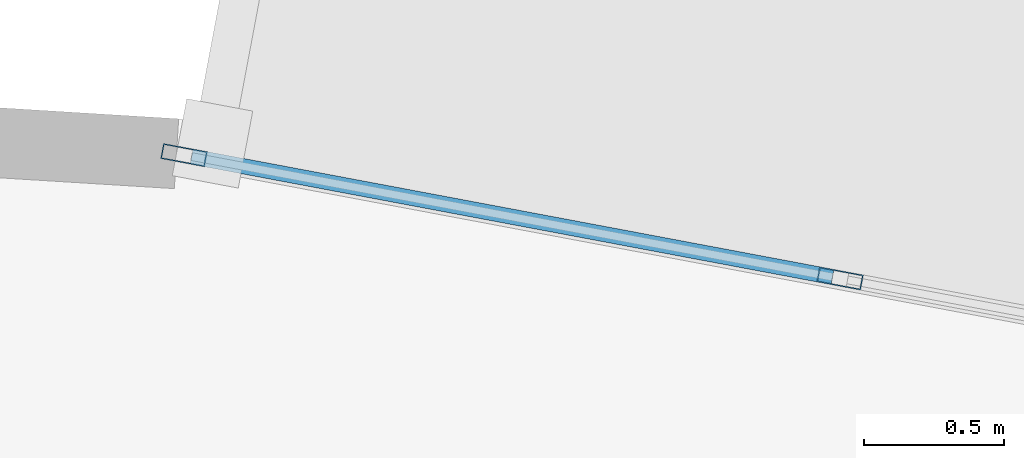
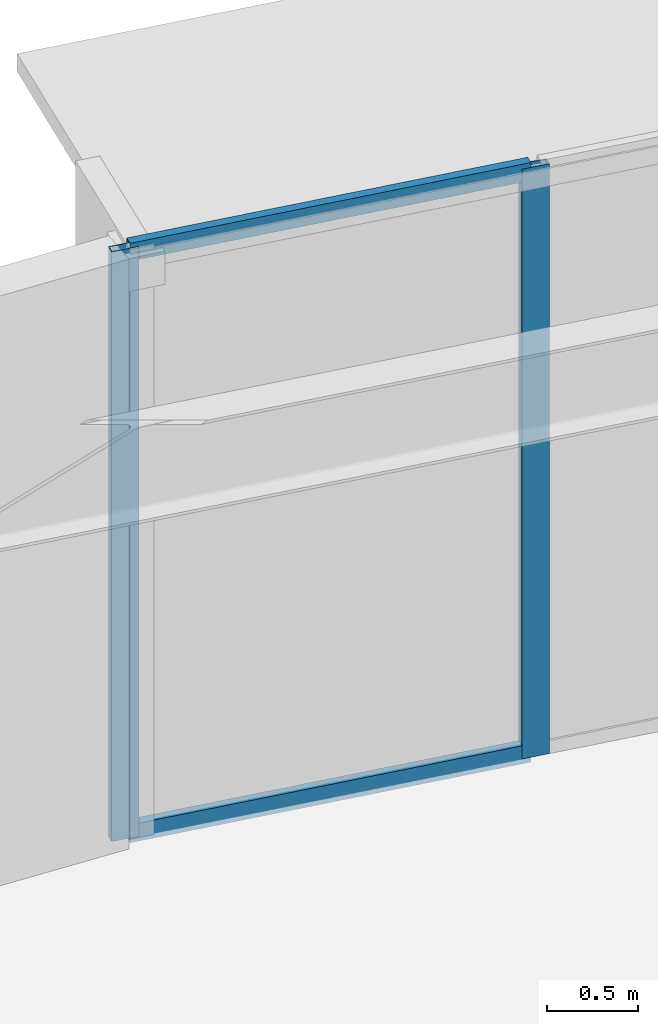
# One storey, part 14 of 35: 4 members, 1 element without a shape of its own.
"""IFC4 building model written with IfcOpenShell, lengths in metres."""

from ifc_helpers import new_model, si_unit, direction, frame, origin, origin_2d, place, context, subcontext, project, spatial, hollow_rectangle, extrude, source, transform, mapped, material, layer, layer_set, material_profile, profile_set, type_object, element, aggregate, save


model = new_model("IFC4")

# Units and contexts
model_context = context("Model", 3, precision=1e-05, world=origin(), true_north=direction((0.0, 1.0)))
body_context = subcontext(model_context, "Body", "Model", "MODEL_VIEW")
ifc_project = project(units=[si_unit("LENGTHUNIT", "METRE"), si_unit("AREAUNIT", "SQUARE_METRE"), si_unit("VOLUMEUNIT", "CUBIC_METRE"), si_unit("PLANEANGLEUNIT", "RADIAN"), si_unit("MASSUNIT", "GRAM", prefix="KILO")], contexts=[model_context])

# Site, building, storey
site_placement = place(None, origin())
site = spatial("IfcSite", under=ifc_project, at=site_placement, CompositionType="ELEMENT")
building_placement = place(site_placement, origin())
building = spatial("IfcBuilding", under=site, at=building_placement, Name="Linh Dai School and Residence Tower", CompositionType="ELEMENT")
storey_placement = place(building_placement, frame((0.0, 0.0, 49.199951171875)))
storey = spatial("IfcBuildingStorey", under=building, at=storey_placement, Name="L11", CompositionType="ELEMENT", Elevation=49.199951171875)

# Curtain wall, members
ifc_material_1 = material(Name="Aluminium Anodised Curtain Wall", Category="aluminium")
ifc_layer = layer(ifc_material_1, 0.159912109375)
ifc_layer_set = layer_set([ifc_layer], Name="Aluminium Anodised Curtain Wall")
curtain_wall_type = type_object("IfcCurtainWallType", Name="CW-SYS-3", PredefinedType="USERDEFINED", material=ifc_layer_set)
curtain_wall_placement = place(storey_placement, origin())
curtain_wall = element("IfcCurtainWall", 1, at=curtain_wall_placement, inside=storey, type_object=curtain_wall_type, Name="L11 CW3 Curtain Wall 09", ObjectType="RIBBON CURTAIN WALL", PredefinedType="USERDEFINED")
ifc_material_2 = material(Name="Aluminium Alloy 6063-T6", Category="aluminium")
ifc_material_profile_1 = material_profile(ifc_material_2, hollow_rectangle(XDim=0.054931640625, YDim=0.1201171875, WallThickness=0.00390625, at=origin_2d()), Name="RHS 120x55x4")
ifc_profile_set_1 = profile_set([ifc_material_profile_1], Name="Aluminium Alloy 6063-T6")
member_type_1 = type_object("IfcMemberType", Name="CW-SYS-3-TRN", PredefinedType="USERDEFINED", material=ifc_profile_set_1)
shared_shape_1 = source(origin(), body_context, "Body", "SweptSolid", [
    extrude(hollow_rectangle(XDim=0.054931640625, YDim=0.1201171875, WallThickness=0.00390625, at=origin_2d()), origin(), (0.0, 0.0, 1.0), 2.331787109375),
])
member_1_placement = place(storey_placement, frame((40.91943359375, 50.9951171875, 0.027587890625), z_axis=(0.98277485102, -0.184806905183, 0.0), x_axis=(0.184806905183, 0.98277485102, 0.0)))
member_1 = element("IfcMember", 2, at=member_1_placement, type_object=member_type_1, Name="CW3 transom 1.1", ObjectType="TRANSOM", PredefinedType="USERDEFINED", context=body_context, shape_type="MappedRepresentation", body=[
    mapped(shared_shape_1, transform((0.0, 0.0, 0.0), x_axis=(1.0, 0.0, 0.0), y_axis=(0.0, 1.0, 0.0), z_axis=(0.0, 0.0, 1.0), scale=1.0)),
])
member_2_placement = place(storey_placement, frame((40.91943359375, 50.9951171875, 3.922607421875), z_axis=(0.98277485102, -0.184806905183, 0.0), x_axis=(0.184806905183, 0.98277485102, 0.0)))
member_2 = element("IfcMember", 3, at=member_2_placement, type_object=member_type_1, Name="CW3 transom 1.2", ObjectType="TRANSOM", PredefinedType="USERDEFINED", context=body_context, shape_type="MappedRepresentation", body=[
    mapped(shared_shape_1, transform((0.0, 0.0, 0.0), x_axis=(1.0, 0.0, 0.0), y_axis=(0.0, 1.0, 0.0), z_axis=(0.0, 0.0, 1.0), scale=1.0)),
])
ifc_material_profile_2 = material_profile(ifc_material_2, hollow_rectangle(XDim=0.054931640625, YDim=0.159912109375, WallThickness=0.00390625, at=origin_2d()), Name="RHS 160x55x4")
ifc_profile_set_2 = profile_set([ifc_material_profile_2], Name="Aluminium Alloy 6063-T6")
member_type_2 = type_object("IfcMemberType", Name="CW-SYS-3-MUL", PredefinedType="MULLION", material=ifc_profile_set_2)
shared_shape_2 = source(origin(), body_context, "Body", "SweptSolid", [
    extrude(hollow_rectangle(XDim=0.054931640625, YDim=0.159912109375, WallThickness=0.00390625, at=origin_2d()), origin(), (0.0, 0.0, 1.0), 3.949951171875),
])
member_3_placement = place(storey_placement, frame((40.892333984375, 51.0, 0.0), z_axis=(0.0, 0.0, 1.0), x_axis=(0.184747948944, 0.982785935675, 0.0)))
member_3 = element("IfcMember", 4, at=member_3_placement, type_object=member_type_2, Name="CW3 mullion 1", PredefinedType="MULLION", context=body_context, shape_type="MappedRepresentation", body=[
    mapped(shared_shape_2, transform((0.0, 0.0, 0.0), x_axis=(1.0, 0.0, 0.0), y_axis=(0.0, 1.0, 0.0), z_axis=(0.0, 0.0, 1.0), scale=1.0)),
])
member_4_placement = place(storey_placement, frame((43.238037109375, 50.55908203125, 0.0), z_axis=(0.0, 0.0, 1.0), x_axis=(0.184747948944, 0.982785935675, 0.0)))
member_4 = element("IfcMember", 5, at=member_4_placement, type_object=member_type_2, Name="CW3 mullion 2", PredefinedType="MULLION", context=body_context, shape_type="MappedRepresentation", body=[
    mapped(shared_shape_2, transform((0.0, 0.0, 0.0), x_axis=(1.0, 0.0, 0.0), y_axis=(0.0, 1.0, 0.0), z_axis=(0.0, 0.0, 1.0), scale=1.0)),
])
aggregate(curtain_wall, [member_3, member_4, member_1, member_2])

save(model, "model.ifc")
